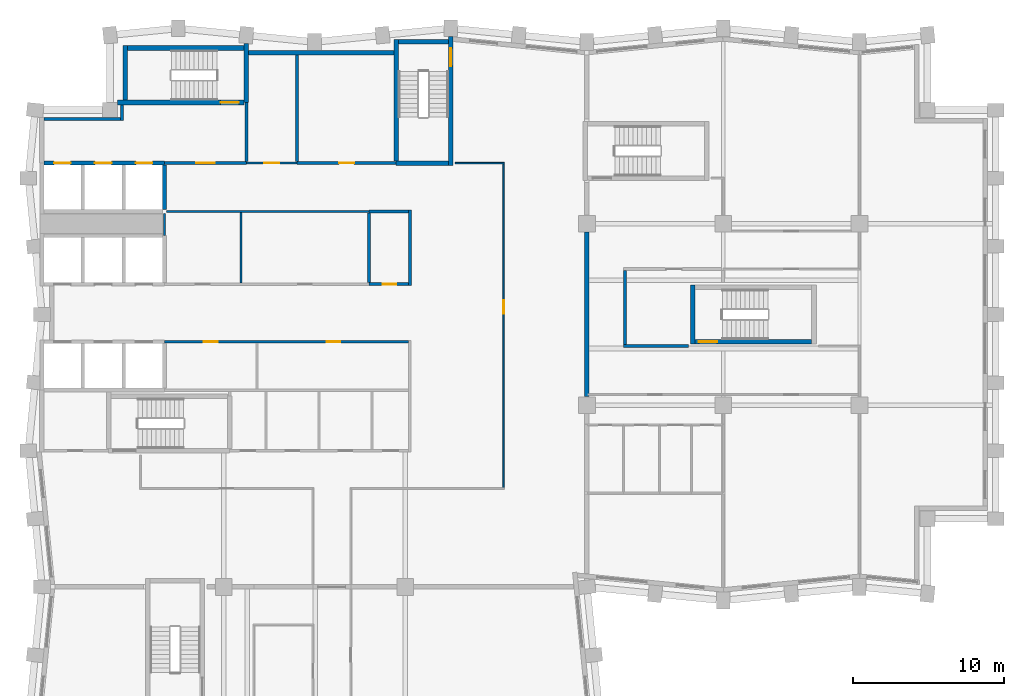
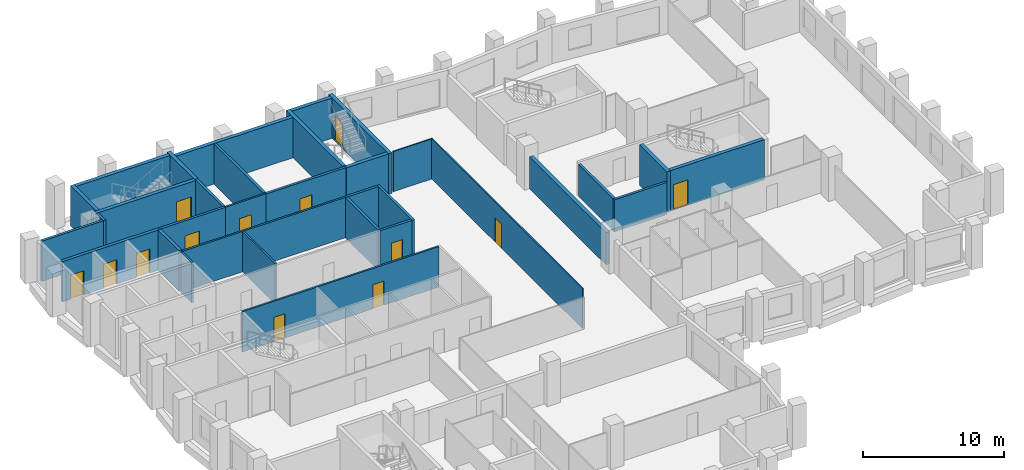
# One storey, part 6 of 10: 33 walls, 13 doors, 13 openings.
"""IFC4 building model written with IfcOpenShell, lengths in metres."""

import ifcopenshell
import ifcopenshell.guid

model = None  # the IFC model being written
_history = None  # IfcOwnerHistory: only IFC2X3 demands one
_inside = {}  # id of a spatial element -> (the spatial element, [elements in it])
_under = {}  # id of a project, library or spatial element -> (it, [spatial elements below it])
_declared = {}  # id of a project -> (the project, [libraries it declares])
_typed = {}  # id of a type object -> (the type object, [elements of that type])
_made_of = {}  # id of a material, layer set ... -> (it, [elements and type objects made of it])


def new_model(schema):
    """Start an empty IFC model of exactly this schema.

    Asked for "IFC4X3", IfcOpenShell would pick the latest addendum, in which some entities
    have other attributes; the version numbers below select the first issue.
    IFC2X3 requires an IfcOwnerHistory on every rooted entity: one is made here for all.
    """
    global model, _history
    if schema == "IFC4X3":
        model = ifcopenshell.file(schema_version=(4, 3, 0, 0))
    else:
        model = ifcopenshell.file(schema=schema)
    _inside.clear()
    _under.clear()
    _declared.clear()
    _typed.clear()
    _made_of.clear()
    _history = None
    if model.schema == "IFC2X3":
        org = make("IfcOrganization", Name="unknown")
        user = make(
            "IfcPersonAndOrganization",
            ThePerson=make("IfcPerson", FamilyName="unknown"),
            TheOrganization=org,
        )
        app = make(
            "IfcApplication",
            ApplicationDeveloper=org,
            Version="unknown",
            ApplicationFullName="unknown",
            ApplicationIdentifier="unknown",
        )
        _history = make(
            "IfcOwnerHistory",
            OwningUser=user,
            OwningApplication=app,
            ChangeAction="ADDED",
            CreationDate=0,
        )
    return model


def make(cls, **values):
    """One entity of the class cls with the attributes given. An attribute that is None is left unset."""
    return model.create_entity(
        cls, **{name: value for name, value in values.items() if value is not None}
    )


def rooted(cls, **values):
    """An entity with a GlobalId (a new one), such as an element, a storey or a relation."""
    return make(cls, GlobalId=ifcopenshell.guid.new(), OwnerHistory=_history, **values)


def si_unit(unit_type, name, prefix=None):
    """IfcSIUnit, for example si_unit("LENGTHUNIT", "METRE", prefix="MILLI")."""
    return make("IfcSIUnit", UnitType=unit_type, Prefix=prefix, Name=name)


def assignment(units):
    """IfcUnitAssignment: the units of a project."""
    return None if units is None else make("IfcUnitAssignment", Units=units)


def point(xyz):
    """IfcCartesianPoint."""
    return None if xyz is None else make("IfcCartesianPoint", Coordinates=xyz)


def direction(xyz):
    """IfcDirection."""
    return None if xyz is None else make("IfcDirection", DirectionRatios=xyz)


def frame(location, z_axis=None, x_axis=None):
    """IfcAxis2Placement3D, a coordinate frame: its origin and axes. An axis left out is left unset."""
    return make(
        "IfcAxis2Placement3D",
        Location=point(location),
        Axis=direction(z_axis),
        RefDirection=direction(x_axis),
    )


def frame_2d(location, x_axis=None):
    """IfcAxis2Placement2D, a coordinate frame in the plane: its origin and x axis."""
    return make(
        "IfcAxis2Placement2D", Location=point(location), RefDirection=direction(x_axis)
    )


def origin():
    """The frame at (0, 0, 0) with its axes left unset."""
    return frame((0.0, 0.0, 0.0))


def place(relative_to, where):
    """IfcLocalPlacement: puts the frame where relative to a parent placement (None: the world)."""
    return make(
        "IfcLocalPlacement", PlacementRelTo=relative_to, RelativePlacement=where
    )


def context(
    kind, dimensions, precision=None, world=None, true_north=None, identifier=None
):
    """IfcGeometricRepresentationContext, for example the 3D "Model" context."""
    return make(
        "IfcGeometricRepresentationContext",
        ContextIdentifier=identifier,
        ContextType=kind,
        CoordinateSpaceDimension=dimensions,
        Precision=precision,
        WorldCoordinateSystem=world,
        TrueNorth=true_north,
    )


def subcontext(parent, identifier, kind, view, scale=None):
    """IfcGeometricRepresentationSubContext, for example "Body" below "Model"."""
    return make(
        "IfcGeometricRepresentationSubContext",
        ContextIdentifier=identifier,
        ContextType=kind,
        ParentContext=parent,
        TargetScale=scale,
        TargetView=view,
    )


def project(units=None, contexts=None):
    """IfcProject with its units and contexts."""
    return rooted(
        "IfcProject",
        Name="project",
        RepresentationContexts=contexts,
        UnitsInContext=assignment(units),
    )


def spatial(cls, under=None, at=None, **own):
    """A site, building, storey or space (cls), placed at a placement, below another one or the project."""
    s = rooted(cls, ObjectPlacement=at, **own)
    if under is not None:
        _under.setdefault(under.id(), (under, []))[1].append(s)
    return s


def profile(cls, at=None, kind="AREA", **sizes):
    """A parametric profile (cls). Its sizes go by their IFC names, for example OverallWidth=200.0."""
    return make(cls, ProfileType=kind, Position=at, **sizes)


def rectangle(**sizes):
    """IfcRectangleProfileDef."""
    return profile("IfcRectangleProfileDef", **sizes)


def extrude(swept, where, along, depth):
    """IfcExtrudedAreaSolid: the profile swept, set in the frame where, extruded along a direction by depth."""
    return make(
        "IfcExtrudedAreaSolid",
        SweptArea=swept,
        Position=where,
        ExtrudedDirection=direction(along),
        Depth=depth,
    )


def shape(context_of_items, identifier, shape_type, items):
    """IfcShapeRepresentation: the items that make up one representation, for example the "Body"."""
    return make(
        "IfcShapeRepresentation",
        ContextOfItems=context_of_items,
        RepresentationIdentifier=identifier,
        RepresentationType=shape_type,
        Items=items,
    )


def material(Name=None, Category=None):
    """IfcMaterial."""
    return make("IfcMaterial", Name=Name, Category=Category)


def layer(
    of_material, thickness, ventilated=None, Name=None, Category=None, Priority=None
):
    """IfcMaterialLayer: one layer of a wall or slab, of a material (None: an air gap)."""
    return make(
        "IfcMaterialLayer",
        Material=of_material,
        LayerThickness=thickness,
        IsVentilated=ventilated,
        Name=Name,
        Category=Category,
        Priority=Priority,
    )


def layer_set(layers, Name=None):
    """IfcMaterialLayerSet."""
    return make("IfcMaterialLayerSet", MaterialLayers=layers, LayerSetName=Name)


def made_of(thing, what):
    """Note that an element or type object is made of a material, layer set ...; save() writes the relation."""
    if what is not None:
        _made_of.setdefault(what.id(), (what, []))[1].append(thing)
    return thing


def type_object(cls, material=None, **own):
    """A type object (cls), such as IfcWallType, which elements share."""
    return made_of(rooted(cls, **own), material)


def element(
    cls,
    number,
    at=None,
    inside=None,
    cuts=None,
    type_object=None,
    material=None,
    context=None,
    identifier="Body",
    shape_type=None,
    held_by="IfcProductDefinitionShape",
    body=None,
    shapes=None,
    **own,
):
    """One element of the class cls, such as IfcWall. Its Tag is "e" and its number.

    at: its placement. inside: the storey or other place that contains it. cuts: it is an
    opening in that element (IfcRelVoidsElement). A single representation is given by context,
    identifier, shape_type and body (its items); several are given by shapes. held_by: the class
    of the entity that holds the representations. save() writes the other relations.
    """
    e = rooted(cls, Tag="e%d" % number, ObjectPlacement=at, **own)
    if body is not None:
        shapes = [shape(context, identifier, shape_type, body)]
    if shapes is not None:
        e.Representation = make(held_by, Representations=shapes)
    if inside is not None:
        _inside.setdefault(inside.id(), (inside, []))[1].append(e)
    if cuts is not None:
        rooted(
            "IfcRelVoidsElement", RelatingBuildingElement=cuts, RelatedOpeningElement=e
        )
    if type_object is not None:
        _typed.setdefault(type_object.id(), (type_object, []))[1].append(e)
    return made_of(e, material)


def fill(opening, filler):
    """IfcRelFillsElement: the door or window that sits in an opening."""
    return rooted(
        "IfcRelFillsElement",
        RelatingOpeningElement=opening,
        RelatedBuildingElement=filler,
    )


def aggregate(whole, parts):
    """IfcRelAggregates: a whole, such as a stair, and the parts it consists of."""
    return rooted("IfcRelAggregates", RelatingObject=whole, RelatedObjects=parts)


def save(model, path):
    """Write the relations noted so far, then the file.

    IfcRelAggregates (storeys below a building ...), IfcRelContainedInSpatialStructure (elements
    in a storey), IfcRelDefinesByType, IfcRelAssociatesMaterial and IfcRelDeclares: one each for
    every whole, place, type object, material and project.
    """
    for whole, parts in _under.values():
        aggregate(whole, parts)
    for where, things in _inside.values():
        rooted(
            "IfcRelContainedInSpatialStructure",
            RelatedElements=things,
            RelatingStructure=where,
        )
    for kind, things in _typed.values():
        rooted("IfcRelDefinesByType", RelatedObjects=things, RelatingType=kind)
    for what, things in _made_of.values():
        rooted("IfcRelAssociatesMaterial", RelatedObjects=things, RelatingMaterial=what)
    for by, libraries in _declared.values():
        rooted("IfcRelDeclares", RelatingContext=by, RelatedDefinitions=libraries)
    model.write(path)


model = new_model("IFC4")

# Units and contexts
model_context = context("Model", 3, precision=1e-05, world=origin(), true_north=direction((0.0, 1.0)))
body_context = subcontext(model_context, "Body", "Model", "MODEL_VIEW")
ifc_project = project(units=[si_unit("LENGTHUNIT", "METRE"), si_unit("AREAUNIT", "SQUARE_METRE"), si_unit("VOLUMEUNIT", "CUBIC_METRE"), si_unit("PLANEANGLEUNIT", "RADIAN"), si_unit("MASSUNIT", "GRAM", prefix="KILO")], contexts=[model_context])

# Site, building, storey
site_placement = place(None, origin())
site = spatial("IfcSite", under=ifc_project, at=site_placement, CompositionType="ELEMENT")
building_placement = place(site_placement, origin())
building = spatial("IfcBuilding", under=site, at=building_placement, Name="Brondeck Convention Tower", CompositionType="ELEMENT")
storey_placement = place(building_placement, frame((0.0, 0.0, 147.199951171875)))
storey = spatial("IfcBuildingStorey", under=building, at=storey_placement, Name="L35", CompositionType="ELEMENT", Elevation=147.199951171875)

# Walls
ifc_material_1 = material(Name="Concrete compartment wall C30/37", Category="concrete")
ifc_layer_1 = layer(ifc_material_1, 0.300048828125)
ifc_layer_set_1 = layer_set([ifc_layer_1], Name="Compartment wall 300")
wall_type_1 = type_object("IfcWallType", Name="Compartment wall 300", PredefinedType="PARTITIONING", material=ifc_layer_set_1)
wall_1_placement = place(storey_placement, frame((36.0, 39.570068359375, 0.0), z_axis=(0.0, 0.0, 1.0), x_axis=(0.0, 1.0, 0.0)))
element("IfcWall", 1, at=wall_1_placement, inside=storey, type_object=wall_type_1, Name="FLR-L35-W052", PredefinedType="PARTITIONING", context=body_context, shape_type="SweptSolid", body=[
    extrude(rectangle(XDim=10.875, YDim=0.300048828125, at=frame_2d((5.4375, 0.0))), origin(), (0.0, 0.0, 1.0), 2.780029296875),
])
ifc_material_2 = material(Name="Concrete C70/85", Category="concrete")
ifc_layer_2 = layer(ifc_material_2, 0.199951171875)
ifc_layer_set_2 = layer_set([ifc_layer_2], Name="Core beam-seat wall 200 Concrete C70/85")
wall_type_2 = type_object("IfcWallType", Name="Core beam-seat wall 200 Concrete C70/85", PredefinedType="SHEAR", material=ifc_layer_set_2)
wall_2_placement = place(storey_placement, frame((24.300048828125, 46.89990234375, 0.0), z_axis=(0.0, 0.0, 1.0), x_axis=(0.0, 1.0, 0.0)))
element("IfcWall", 2, at=wall_2_placement, inside=storey, type_object=wall_type_2, Name="L35 core wall", PredefinedType="SHEAR", context=body_context, shape_type="SweptSolid", body=[
    extrude(rectangle(XDim=5.0, YDim=0.199951171875, at=frame_2d((2.5, 0.0))), origin(), (0.0, 0.0, 1.0), 3.5),
])
ifc_layer_3 = layer(ifc_material_2, 0.300048828125)
ifc_layer_set_3 = layer_set([ifc_layer_3], Name="Core outer wall 300 Concrete C70/85")
wall_type_3 = type_object("IfcWallType", Name="Core outer wall 300 Concrete C70/85", PredefinedType="SHEAR", material=ifc_layer_set_3)
wall_3_placement = place(storey_placement, frame((13.64990234375, 62.300048828125, 0.0), z_axis=(0.0, 0.0, 1.0), x_axis=(1.0, 0.0, 0.0)))
element("IfcWall", 3, at=wall_3_placement, inside=storey, type_object=wall_type_3, Name="L35 core wall", PredefinedType="SHEAR", context=body_context, shape_type="SweptSolid", body=[
    extrude(rectangle(XDim=9.60009765625, YDim=0.300048828125, at=frame_2d((4.800048828125, 0.0))), origin(), (0.0, 0.0, 1.0), 3.5),
])

# Wall, openings, doors
ifc_material_3 = material(Name="Fire-rated gypsum board partition")
ifc_layer_4 = layer(ifc_material_3, 0.14990234375)
ifc_layer_set_4 = layer_set([ifc_layer_4], Name="Core partition 150 EI 60")
wall_type_4 = type_object("IfcWallType", Name="Core partition 150 EI 60", PredefinedType="PARTITIONING", material=ifc_layer_set_4)
wall_4_placement = place(storey_placement, frame((8.10009765625, 43.199951171875, 0.0), z_axis=(0.0, 0.0, 1.0), x_axis=(1.0, 0.0, 0.0)))
wall_4 = element("IfcWall", 4, at=wall_4_placement, inside=storey, type_object=wall_type_4, Name="L35 core wall", PredefinedType="PARTITIONING", context=body_context, shape_type="SweptSolid", body=[
    extrude(rectangle(XDim=16.125, YDim=0.14990234375, at=frame_2d((8.0625, 0.0))), origin(), (0.0, 0.0, 1.0), 3.5),
])
opening_1_placement = place(wall_4_placement, frame((2.60009765625, 0.0, 0.0)))
opening_1 = element("IfcOpeningElement", 5, at=opening_1_placement, cuts=wall_4, Name="Opening C21-10", PredefinedType="OPENING", context=body_context, shape_type="SweptSolid", body=[
    extrude(rectangle(XDim=0.89990234375, YDim=2.10009765625, at=frame_2d((0.449951171875, 1.050048828125))), frame((0.0, 0.0849609375, 0.0), z_axis=(0.0, -1.0, 0.0), x_axis=(1.0, 0.0, 0.0)), (0.0, 0.0, 1.0), 0.169921875),
])
opening_2_placement = place(wall_4_placement, frame((10.699951171875, 0.0, 0.0)))
opening_2 = element("IfcOpeningElement", 6, at=opening_2_placement, cuts=wall_4, Name="Opening C21-11", PredefinedType="OPENING", context=body_context, shape_type="SweptSolid", body=[
    extrude(rectangle(XDim=0.89990234375, YDim=2.10009765625, at=frame_2d((0.449951171875, 1.050048828125))), frame((0.0, 0.0849609375, 0.0), z_axis=(0.0, -1.0, 0.0), x_axis=(1.0, 0.0, 0.0)), (0.0, 0.0, 1.0), 0.169921875),
])
ifc_material_4 = material(Name="Steel fire door", Category="steel")
door_type_1 = type_object("IfcDoorType", Name="Room door 900x2100 EI 60", OperationType="NOTDEFINED", PredefinedType="DOOR", material=ifc_material_4)
door_1_placement = place(opening_1_placement, origin())
door_1 = element("IfcDoor", 7, at=door_1_placement, inside=storey, type_object=door_type_1, Name="L35 Room door FZ-S-8.1-1", OperationType="SINGLE_SWING_RIGHT", OverallHeight=2.10009765625, OverallWidth=0.89990234375, PredefinedType="DOOR", context=body_context, shape_type="SweptSolid", body=[
    extrude(rectangle(XDim=0.89990234375, YDim=2.10009765625, at=frame_2d((0.449951171875, 1.050048828125))), frame((0.0, 0.02490234375, 0.0), z_axis=(0.0, -1.0, 0.0), x_axis=(1.0, 0.0, 0.0)), (0.0, 0.0, 1.0), 0.050048828125),
])
fill(opening_1, door_1)
door_2_placement = place(opening_2_placement, origin())
door_2 = element("IfcDoor", 8, at=door_2_placement, inside=storey, type_object=door_type_1, Name="L35 Room door FZ-S-8.1-2", OperationType="SINGLE_SWING_LEFT", OverallHeight=2.10009765625, OverallWidth=0.89990234375, PredefinedType="DOOR", context=body_context, shape_type="SweptSolid", body=[
    extrude(rectangle(XDim=0.89990234375, YDim=2.10009765625, at=frame_2d((0.449951171875, 1.050048828125))), frame((0.0, 0.02490234375, 0.0), z_axis=(0.0, -1.0, 0.0), x_axis=(1.0, 0.0, 0.0)), (0.0, 0.0, 1.0), 0.050048828125),
])
fill(opening_2, door_2)

# Wall
wall_5_placement = place(storey_placement, frame((8.22509765625, 51.800048828125, 0.0), z_axis=(0.0, 0.0, 1.0), x_axis=(1.0, 0.0, 0.0)))
element("IfcWall", 9, at=wall_5_placement, inside=storey, type_object=wall_type_4, Name="L35 core wall", PredefinedType="PARTITIONING", context=body_context, shape_type="SweptSolid", body=[
    extrude(rectangle(XDim=13.375, YDim=0.14990234375, at=frame_2d((6.6875, 0.0))), origin(), (0.0, 0.0, 1.0), 3.5),
])

# Wall, opening, door
wall_6_placement = place(storey_placement, frame((13.5, 55.0, 0.0), z_axis=(0.0, 0.0, 1.0), x_axis=(1.0, 0.0, 0.0)))
wall_6 = element("IfcWall", 10, at=wall_6_placement, inside=storey, type_object=wall_type_4, Name="L35 core wall", PredefinedType="PARTITIONING", context=body_context, shape_type="SweptSolid", body=[
    extrude(rectangle(XDim=3.35009765625, YDim=0.14990234375, at=frame_2d((1.675048828125, 0.0))), origin(), (0.0, 0.0, 1.0), 3.5),
])
opening_3_placement = place(wall_6_placement, frame((1.175048828125, 0.0, 0.0)))
opening_3 = element("IfcOpeningElement", 11, at=opening_3_placement, cuts=wall_6, Name="Opening C21-12", PredefinedType="OPENING", context=body_context, shape_type="SweptSolid", body=[
    extrude(rectangle(XDim=1.0, YDim=2.10009765625, at=frame_2d((0.5, 1.050048828125))), frame((0.0, 0.0849609375, 0.0), z_axis=(0.0, -1.0, 0.0), x_axis=(1.0, 0.0, 0.0)), (0.0, 0.0, 1.0), 0.169921875),
])
door_type_2 = type_object("IfcDoorType", Name="Room door 1000x2100 EI 60", OperationType="NOTDEFINED", PredefinedType="DOOR", material=ifc_material_4)
door_3_placement = place(opening_3_placement, origin())
door_3 = element("IfcDoor", 12, at=door_3_placement, inside=storey, type_object=door_type_2, Name="L35 Room door NE-1", OperationType="SINGLE_SWING_LEFT", OverallHeight=2.10009765625, OverallWidth=1.0, PredefinedType="DOOR", context=body_context, shape_type="SweptSolid", body=[
    extrude(rectangle(XDim=1.0, YDim=2.10009765625, at=frame_2d((0.5, 1.050048828125))), frame((0.0, 0.02490234375, 0.0), z_axis=(0.0, -1.0, 0.0), x_axis=(1.0, 0.0, 0.0)), (0.0, 0.0, 1.0), 0.050048828125),
])
fill(opening_3, door_3)

# Walls
wall_7_placement = place(storey_placement, frame((8.10009765625, 50.199951171875, 0.0), z_axis=(0.0, 0.0, 1.0), x_axis=(0.0, 1.0, 0.0)))
element("IfcWall", 13, at=wall_7_placement, inside=storey, type_object=wall_type_4, Name="L35 core wall", PredefinedType="PARTITIONING", context=body_context, shape_type="SweptSolid", body=[
    extrude(rectangle(XDim=1.47509765625, YDim=0.14990234375, at=frame_2d((0.737548828125, 0.0))), origin(), (0.0, 0.0, 1.0), 3.5),
])
wall_8_placement = place(storey_placement, frame((13.14990234375, 47.074951171875, 0.0), z_axis=(0.0, 0.0, 1.0), x_axis=(0.0, 1.0, 0.0)))
element("IfcWall", 14, at=wall_8_placement, inside=storey, type_object=wall_type_4, Name="L35 core wall", PredefinedType="PARTITIONING", context=body_context, shape_type="SweptSolid", body=[
    extrude(rectangle(XDim=4.650146484375, YDim=0.14990234375, at=frame_2d((2.3251953125, 0.0))), origin(), (0.0, 0.0, 1.0), 3.5),
])

# Wall, opening, door
ifc_layer_5 = layer(ifc_material_3, 0.199951171875)
ifc_layer_set_5 = layer_set([ifc_layer_5], Name="Firefighting lobby wall 200 EI 120")
wall_type_5 = type_object("IfcWallType", Name="Firefighting lobby wall 200 EI 120", PredefinedType="PARTITIONING", material=ifc_layer_set_5)
wall_9_placement = place(storey_placement, frame((8.10009765625, 55.0, 0.0), z_axis=(0.0, 0.0, 1.0), x_axis=(1.0, 0.0, 0.0)))
wall_9 = element("IfcWall", 15, at=wall_9_placement, inside=storey, type_object=wall_type_5, Name="L35 core wall", PredefinedType="PARTITIONING", context=body_context, shape_type="SweptSolid", body=[
    extrude(rectangle(XDim=5.39990234375, YDim=0.199951171875, at=frame_2d((2.699951171875, 0.0))), origin(), (0.0, 0.0, 1.0), 3.5),
])
opening_4_placement = place(wall_9_placement, frame((2.10009765625, 0.0, 0.0)))
opening_4 = element("IfcOpeningElement", 16, at=opening_4_placement, cuts=wall_9, Name="Opening C21-01", PredefinedType="OPENING", context=body_context, shape_type="SweptSolid", body=[
    extrude(rectangle(XDim=1.199951171875, YDim=2.199951171875, at=frame_2d((0.60009765625, 1.10009765625))), frame((0.0, 0.10986328125, 0.0), z_axis=(0.0, -1.0, 0.0), x_axis=(1.0, 0.0, 0.0)), (0.0, 0.0, 1.0), 0.219970703125),
])
door_type_3 = type_object("IfcDoorType", Name="Firefighting lobby door 1200x2200 EI 120", OperationType="NOTDEFINED", PredefinedType="DOOR", material=ifc_material_4)
door_4_placement = place(opening_4_placement, origin())
door_4 = element("IfcDoor", 17, at=door_4_placement, inside=storey, type_object=door_type_3, Name="L35 Firefighting lobby door FFL-1", OperationType="SINGLE_SWING_RIGHT", OverallHeight=2.199951171875, OverallWidth=1.199951171875, PredefinedType="DOOR", context=body_context, shape_type="SweptSolid", body=[
    extrude(rectangle(XDim=1.199951171875, YDim=2.199951171875, at=frame_2d((0.60009765625, 1.10009765625))), frame((0.0, 0.02490234375, 0.0), z_axis=(0.0, -1.0, 0.0), x_axis=(1.0, 0.0, 0.0)), (0.0, 0.0, 1.0), 0.050048828125),
])
fill(opening_4, door_4)

# Walls
wall_10_placement = place(storey_placement, frame((0.14990234375, 57.89990234375, 0.0), z_axis=(0.0, 0.0, 1.0), x_axis=(1.0, 0.0, 0.0)))
element("IfcWall", 18, at=wall_10_placement, inside=storey, type_object=wall_type_5, Name="L35 core wall", PredefinedType="PARTITIONING", context=body_context, shape_type="SweptSolid", body=[
    extrude(rectangle(XDim=5.050048828125, YDim=0.199951171875, at=frame_2d((2.52490234375, 0.0))), origin(), (0.0, 0.0, 1.0), 3.5),
])
wall_11_placement = place(storey_placement, frame((5.300048828125, 57.800048828125, 0.0), z_axis=(0.0, 0.0, 1.0), x_axis=(0.0, 1.0, 0.0)))
element("IfcWall", 19, at=wall_11_placement, inside=storey, type_object=wall_type_5, Name="L35 core wall", PredefinedType="PARTITIONING", context=body_context, shape_type="SweptSolid", body=[
    extrude(rectangle(XDim=1.050048828125, YDim=0.199951171875, at=frame_2d((0.52490234375, 0.0))), origin(), (0.0, 0.0, 1.0), 3.5),
])
wall_12_placement = place(storey_placement, frame((13.5, 55.10009765625, 0.0), z_axis=(0.0, 0.0, 1.0), x_axis=(0.0, 1.0, 0.0)))
element("IfcWall", 20, at=wall_12_placement, inside=storey, type_object=wall_type_5, Name="L35 core wall", PredefinedType="PARTITIONING", context=body_context, shape_type="SweptSolid", body=[
    extrude(rectangle(XDim=3.89990234375, YDim=0.199951171875, at=frame_2d((1.949951171875, 0.0))), origin(), (0.0, 0.0, 1.0), 3.5),
])

# Wall, openings, doors
ifc_layer_6 = layer(ifc_material_2, 0.25)
ifc_layer_set_6 = layer_set([ifc_layer_6], Name="Lift shaft wall 250 Concrete C70/85")
wall_type_6 = type_object("IfcWallType", Name="Lift shaft wall 250 Concrete C70/85", PredefinedType="SHEAR", material=ifc_layer_set_6)
wall_13_placement = place(storey_placement, frame((0.14990234375, 55.0, 0.0), z_axis=(0.0, 0.0, 1.0), x_axis=(1.0, 0.0, 0.0)))
wall_13 = element("IfcWall", 21, at=wall_13_placement, inside=storey, type_object=wall_type_6, Name="L35 core wall", PredefinedType="SHEAR", context=body_context, shape_type="SweptSolid", body=[
    extrude(rectangle(XDim=7.9501953125, YDim=0.25, at=frame_2d((3.97509765625, 0.0))), origin(), (0.0, 0.0, 1.0), 3.5),
])
opening_5_placement = place(wall_13_placement, frame((0.64990234375, 0.0, 0.0)))
opening_5 = element("IfcOpeningElement", 22, at=opening_5_placement, cuts=wall_13, Name="Opening C21-21", PredefinedType="OPENING", context=body_context, shape_type="SweptSolid", body=[
    extrude(rectangle(XDim=1.10009765625, YDim=2.10009765625, at=frame_2d((0.550048828125, 1.050048828125))), frame((0.0, 0.135009765625, 0.0), z_axis=(0.0, -1.0, 0.0), x_axis=(1.0, 0.0, 0.0)), (0.0, 0.0, 1.0), 0.27001953125),
])
opening_6_placement = place(wall_13_placement, frame((3.35009765625, 0.0, 0.0)))
opening_6 = element("IfcOpeningElement", 23, at=opening_6_placement, cuts=wall_13, Name="Opening C21-22", PredefinedType="OPENING", context=body_context, shape_type="SweptSolid", body=[
    extrude(rectangle(XDim=1.10009765625, YDim=2.10009765625, at=frame_2d((0.550048828125, 1.050048828125))), frame((0.0, 0.135009765625, 0.0), z_axis=(0.0, -1.0, 0.0), x_axis=(1.0, 0.0, 0.0)), (0.0, 0.0, 1.0), 0.27001953125),
])
opening_7_placement = place(wall_13_placement, frame((6.050048828125, 0.0, 0.0)))
opening_7 = element("IfcOpeningElement", 24, at=opening_7_placement, cuts=wall_13, Name="Opening C21-23", PredefinedType="OPENING", context=body_context, shape_type="SweptSolid", body=[
    extrude(rectangle(XDim=1.10009765625, YDim=2.10009765625, at=frame_2d((0.550048828125, 1.050048828125))), frame((0.0, 0.135009765625, 0.0), z_axis=(0.0, -1.0, 0.0), x_axis=(1.0, 0.0, 0.0)), (0.0, 0.0, 1.0), 0.27001953125),
])
ifc_material_5 = material(Name="Stainless steel lift door", Category="steel")
door_type_4 = type_object("IfcDoorType", Name="Lift landing door 1100x2100 EI 180", OperationType="DOUBLE_DOOR_SLIDING", PredefinedType="DOOR", material=ifc_material_5)
door_5_placement = place(opening_5_placement, origin())
door_5 = element("IfcDoor", 25, at=door_5_placement, inside=storey, type_object=door_type_4, Name="L35 Lift landing door FF1", OperationType="DOUBLE_DOOR_SLIDING", OverallHeight=2.10009765625, OverallWidth=1.10009765625, PredefinedType="DOOR", context=body_context, shape_type="SweptSolid", body=[
    extrude(rectangle(XDim=1.10009765625, YDim=2.10009765625, at=frame_2d((0.550048828125, 1.050048828125))), frame((0.0, 0.02490234375, 0.0), z_axis=(0.0, -1.0, 0.0), x_axis=(1.0, 0.0, 0.0)), (0.0, 0.0, 1.0), 0.050048828125),
])
fill(opening_5, door_5)
door_6_placement = place(opening_6_placement, origin())
door_6 = element("IfcDoor", 26, at=door_6_placement, inside=storey, type_object=door_type_4, Name="L35 Lift landing door FF2", OperationType="DOUBLE_DOOR_SLIDING", OverallHeight=2.10009765625, OverallWidth=1.10009765625, PredefinedType="DOOR", context=body_context, shape_type="SweptSolid", body=[
    extrude(rectangle(XDim=1.10009765625, YDim=2.10009765625, at=frame_2d((0.550048828125, 1.050048828125))), frame((0.0, 0.02490234375, 0.0), z_axis=(0.0, -1.0, 0.0), x_axis=(1.0, 0.0, 0.0)), (0.0, 0.0, 1.0), 0.050048828125),
])
fill(opening_6, door_6)
door_7_placement = place(opening_7_placement, origin())
door_7 = element("IfcDoor", 27, at=door_7_placement, inside=storey, type_object=door_type_4, Name="L35 Lift landing door FF3", OperationType="DOUBLE_DOOR_SLIDING", OverallHeight=2.10009765625, OverallWidth=1.10009765625, PredefinedType="DOOR", context=body_context, shape_type="SweptSolid", body=[
    extrude(rectangle(XDim=1.10009765625, YDim=2.10009765625, at=frame_2d((0.550048828125, 1.050048828125))), frame((0.0, 0.02490234375, 0.0), z_axis=(0.0, -1.0, 0.0), x_axis=(1.0, 0.0, 0.0)), (0.0, 0.0, 1.0), 0.050048828125),
])
fill(opening_7, door_7)

# Walls
wall_14_placement = place(storey_placement, frame((8.10009765625, 51.925048828125, 0.0), z_axis=(0.0, 0.0, 1.0), x_axis=(0.0, 1.0, 0.0)))
element("IfcWall", 28, at=wall_14_placement, inside=storey, type_object=wall_type_6, Name="L35 core wall", PredefinedType="SHEAR", context=body_context, shape_type="SweptSolid", body=[
    extrude(rectangle(XDim=2.949951171875, YDim=0.25, at=frame_2d((1.47509765625, 0.0))), origin(), (0.0, 0.0, 1.0), 3.5),
])
ifc_material_6 = material(Name="Concrete block wall C16/20", Category="concrete")
ifc_layer_7 = layer(ifc_material_6, 0.199951171875)
ifc_layer_set_7 = layer_set([ifc_layer_7], Name="Plant room wall 200")
wall_type_7 = type_object("IfcWallType", Name="Plant room wall 200", PredefinedType="PARTITIONING", material=ifc_layer_set_7)
wall_15_placement = place(storey_placement, frame((38.39990234375, 42.89990234375, 0.0), z_axis=(0.0, 0.0, 1.0), x_axis=(1.0, 0.0, 0.0)))
element("IfcWall", 29, at=wall_15_placement, inside=storey, type_object=wall_type_7, Name="FLR-L35-W054", PredefinedType="PARTITIONING", context=body_context, shape_type="SweptSolid", body=[
    extrude(rectangle(XDim=4.300048828125, YDim=0.199951171875, at=frame_2d((2.14990234375, 0.0))), origin(), (0.0, 0.0, 1.0), 2.780029296875),
])
wall_16_placement = place(storey_placement, frame((38.5, 47.89990234375, 0.0), z_axis=(0.0, 0.0, 1.0), x_axis=(0.0, -1.0, 0.0)))
element("IfcWall", 30, at=wall_16_placement, inside=storey, type_object=wall_type_7, Name="FLR-L35-W056", PredefinedType="PARTITIONING", context=body_context, shape_type="SweptSolid", body=[
    extrude(rectangle(XDim=4.89990234375, YDim=0.199951171875, at=frame_2d((2.449951171875, 0.0))), origin(), (0.0, 0.0, 1.0), 2.780029296875),
])

# Wall, opening, door
ifc_layer_8 = layer(ifc_material_3, 0.199951171875)
ifc_layer_set_8 = layer_set([ifc_layer_8], Name="Riser wall 200 EI 120")
wall_type_8 = type_object("IfcWallType", Name="Riser wall 200 EI 120", PredefinedType="PARTITIONING", material=ifc_layer_set_8)
wall_17_placement = place(storey_placement, frame((21.60009765625, 47.0, 0.0), z_axis=(0.0, 0.0, 1.0), x_axis=(1.0, 0.0, 0.0)))
wall_17 = element("IfcWall", 31, at=wall_17_placement, inside=storey, type_object=wall_type_8, Name="L35 core wall", PredefinedType="PARTITIONING", context=body_context, shape_type="SweptSolid", body=[
    extrude(rectangle(XDim=2.599853515625, YDim=0.199951171875, at=frame_2d((1.2998046875, 0.0))), origin(), (0.0, 0.0, 1.0), 3.5),
])
opening_8_placement = place(wall_17_placement, frame((0.89990234375, 0.0, 0.0)))
opening_8 = element("IfcOpeningElement", 32, at=opening_8_placement, cuts=wall_17, Name="Opening C21-02", PredefinedType="OPENING", context=body_context, shape_type="SweptSolid", body=[
    extrude(rectangle(XDim=0.89990234375, YDim=2.10009765625, at=frame_2d((0.449951171875, 1.050048828125))), frame((0.0, 0.10986328125, 0.0), z_axis=(0.0, -1.0, 0.0), x_axis=(1.0, 0.0, 0.0)), (0.0, 0.0, 1.0), 0.219970703125),
])
door_type_5 = type_object("IfcDoorType", Name="Riser door 900x2100 EI 120", OperationType="NOTDEFINED", PredefinedType="DOOR", material=ifc_material_4)
door_8_placement = place(opening_8_placement, origin())
door_8 = element("IfcDoor", 33, at=door_8_placement, inside=storey, type_object=door_type_5, Name="L35 Riser door EN-1", OperationType="SINGLE_SWING_LEFT", OverallHeight=2.10009765625, OverallWidth=0.89990234375, PredefinedType="DOOR", context=body_context, shape_type="SweptSolid", body=[
    extrude(rectangle(XDim=0.89990234375, YDim=2.10009765625, at=frame_2d((0.449951171875, 1.050048828125))), frame((0.0, 0.02490234375, 0.0), z_axis=(0.0, -1.0, 0.0), x_axis=(1.0, 0.0, 0.0)), (0.0, 0.0, 1.0), 0.050048828125),
])
fill(opening_8, door_8)

# Wall
wall_18_placement = place(storey_placement, frame((21.60009765625, 51.800048828125, 0.0), z_axis=(0.0, 0.0, 1.0), x_axis=(1.0, 0.0, 0.0)))
element("IfcWall", 34, at=wall_18_placement, inside=storey, type_object=wall_type_8, Name="L35 core wall", PredefinedType="PARTITIONING", context=body_context, shape_type="SweptSolid", body=[
    extrude(rectangle(XDim=2.599853515625, YDim=0.199951171875, at=frame_2d((1.2998046875, 0.0))), origin(), (0.0, 0.0, 1.0), 3.5),
])

# Wall, opening, door
wall_19_placement = place(storey_placement, frame((16.85009765625, 55.0, 0.0), z_axis=(0.0, 0.0, 1.0), x_axis=(1.0, 0.0, 0.0)))
wall_19 = element("IfcWall", 35, at=wall_19_placement, inside=storey, type_object=wall_type_8, Name="L35 core wall", PredefinedType="PARTITIONING", context=body_context, shape_type="SweptSolid", body=[
    extrude(rectangle(XDim=6.5498046875, YDim=0.199951171875, at=frame_2d((3.27490234375, 0.0))), origin(), (0.0, 0.0, 1.0), 3.5),
])
opening_9_placement = place(wall_19_placement, frame((2.77490234375, 0.0, 0.0)))
opening_9 = element("IfcOpeningElement", 36, at=opening_9_placement, cuts=wall_19, Name="Opening C21-13", PredefinedType="OPENING", context=body_context, shape_type="SweptSolid", body=[
    extrude(rectangle(XDim=1.0, YDim=2.10009765625, at=frame_2d((0.5, 1.050048828125))), frame((0.0, 0.10986328125, 0.0), z_axis=(0.0, -1.0, 0.0), x_axis=(1.0, 0.0, 0.0)), (0.0, 0.0, 1.0), 0.219970703125),
])
door_type_6 = type_object("IfcDoorType", Name="Riser door 1000x2100 EI 120", OperationType="NOTDEFINED", PredefinedType="DOOR", material=ifc_material_4)
door_9_placement = place(opening_9_placement, origin())
door_9 = element("IfcDoor", 37, at=door_9_placement, inside=storey, type_object=door_type_6, Name="L35 Riser door NE-2", OperationType="SINGLE_SWING_RIGHT", OverallHeight=2.10009765625, OverallWidth=1.0, PredefinedType="DOOR", context=body_context, shape_type="SweptSolid", body=[
    extrude(rectangle(XDim=1.0, YDim=2.10009765625, at=frame_2d((0.5, 1.050048828125))), frame((0.0, 0.02490234375, 0.0), z_axis=(0.0, -1.0, 0.0), x_axis=(1.0, 0.0, 0.0)), (0.0, 0.0, 1.0), 0.050048828125),
])
fill(opening_9, door_9)

# Walls
wall_20_placement = place(storey_placement, frame((16.85009765625, 55.10009765625, 0.0), z_axis=(0.0, 0.0, 1.0), x_axis=(0.0, 1.0, 0.0)))
element("IfcWall", 38, at=wall_20_placement, inside=storey, type_object=wall_type_8, Name="L35 core wall", PredefinedType="PARTITIONING", context=body_context, shape_type="SweptSolid", body=[
    extrude(rectangle(XDim=7.0498046875, YDim=0.199951171875, at=frame_2d((3.52490234375, 0.0))), origin(), (0.0, 0.0, 1.0), 3.5),
])
wall_21_placement = place(storey_placement, frame((21.60009765625, 47.10009765625, 0.0), z_axis=(0.0, 0.0, 1.0), x_axis=(0.0, 1.0, 0.0)))
element("IfcWall", 39, at=wall_21_placement, inside=storey, type_object=wall_type_8, Name="L35 core wall", PredefinedType="PARTITIONING", context=body_context, shape_type="SweptSolid", body=[
    extrude(rectangle(XDim=4.599853515625, YDim=0.199951171875, at=frame_2d((2.2998046875, 0.0))), origin(), (0.0, 0.0, 1.0), 3.5),
])

# Wall, opening, door
ifc_material_7 = material(Name="Gypsum board partition on steel studs", Category="steel")
ifc_layer_9 = layer(ifc_material_7, 0.10009765625)
ifc_layer_set_9 = layer_set([ifc_layer_9], Name="Room partition 100")
wall_type_9 = type_object("IfcWallType", Name="Room partition 100", PredefinedType="PARTITIONING", material=ifc_layer_set_9)
wall_22_placement = place(storey_placement, frame((30.5, 54.949951171875, 0.0), z_axis=(0.0, 0.0, 1.0), x_axis=(0.0, -1.0, 0.0)))
wall_22 = element("IfcWall", 40, at=wall_22_placement, inside=storey, type_object=wall_type_9, Name="FLR-L35-W066", PredefinedType="PARTITIONING", context=body_context, shape_type="SweptSolid", body=[
    extrude(rectangle(XDim=21.39990234375, YDim=0.10009765625, at=frame_2d((10.699951171875, 0.0))), origin(), (0.0, 0.0, 1.0), 3.47998046875),
])
opening_10_placement = place(wall_22_placement, frame((9.0, 0.0, 0.0)))
opening_10 = element("IfcOpeningElement", 41, at=opening_10_placement, cuts=wall_22, Name="Opening OF-F2-017", PredefinedType="OPENING", context=body_context, shape_type="SweptSolid", body=[
    extrude(rectangle(XDim=0.89990234375, YDim=2.10009765625, at=frame_2d((0.449951171875, 1.050048828125))), frame((0.0, 0.06005859375, 0.0), z_axis=(0.0, -1.0, 0.0), x_axis=(1.0, 0.0, 0.0)), (0.0, 0.0, 1.0), 0.1201171875),
])
ifc_material_8 = material(Name="Solid timber door leaf", Category="wood")
door_type_7 = type_object("IfcDoorType", Name="Single door 900", OperationType="NOTDEFINED", PredefinedType="DOOR", material=ifc_material_8)
door_10_placement = place(opening_10_placement, origin())
door_10 = element("IfcDoor", 42, at=door_10_placement, inside=storey, type_object=door_type_7, Name="Door OF-F2-017", OperationType="SINGLE_SWING_LEFT", OverallHeight=2.10009765625, OverallWidth=0.89990234375, PredefinedType="DOOR", context=body_context, shape_type="SweptSolid", body=[
    extrude(rectangle(XDim=0.89990234375, YDim=2.10009765625, at=frame_2d((0.449951171875, 1.050048828125))), frame((0.0, 0.02490234375, 0.0), z_axis=(0.0, -1.0, 0.0), x_axis=(1.0, 0.0, 0.0)), (0.0, 0.0, 1.0), 0.050048828125),
])
fill(opening_10, door_10)

# Wall
wall_23_placement = place(storey_placement, frame((27.300048828125, 55.0, 0.0), z_axis=(0.0, 0.0, 1.0), x_axis=(1.0, 0.0, 0.0)))
element("IfcWall", 43, at=wall_23_placement, inside=storey, type_object=wall_type_9, Name="FLR-L35-W067", PredefinedType="PARTITIONING", context=body_context, shape_type="SweptSolid", body=[
    extrude(rectangle(XDim=3.25, YDim=0.10009765625, at=frame_2d((1.625, 0.0))), origin(), (0.0, 0.0, 1.0), 3.47998046875),
])

# Wall, opening, door
ifc_layer_10 = layer(ifc_material_2, 0.300048828125)
ifc_layer_set_10 = layer_set([ifc_layer_10], Name="Stair enclosure wall 300 Concrete C70/85")
wall_type_10 = type_object("IfcWallType", Name="Stair enclosure wall 300 Concrete C70/85", PredefinedType="SHEAR", material=ifc_layer_set_10)
wall_24_placement = place(storey_placement, frame((43.14990234375, 43.199951171875, 0.0), z_axis=(0.0, 0.0, 1.0), x_axis=(1.0, 0.0, 0.0)))
wall_24 = element("IfcWall", 44, at=wall_24_placement, inside=storey, type_object=wall_type_10, Name="L35 core wall", PredefinedType="SHEAR", context=body_context, shape_type="SweptSolid", body=[
    extrude(rectangle(XDim=7.7001953125, YDim=0.300048828125, at=frame_2d((3.85009765625, 0.0))), origin(), (0.0, 0.0, 1.0), 3.5),
])
opening_11_placement = place(wall_24_placement, frame((0.25, 0.0, 0.0)))
opening_11 = element("IfcOpeningElement", 45, at=opening_11_placement, cuts=wall_24, Name="Opening C21-18", PredefinedType="OPENING", context=body_context, shape_type="SweptSolid", body=[
    extrude(rectangle(XDim=1.199951171875, YDim=2.199951171875, at=frame_2d((0.60009765625, 1.10009765625))), frame((0.0, 0.159912109375, 0.0), z_axis=(0.0, -1.0, 0.0), x_axis=(1.0, 0.0, 0.0)), (0.0, 0.0, 1.0), 0.320068359375),
])
door_type_8 = type_object("IfcDoorType", Name="Stair door 1200x2200 EI 90", OperationType="NOTDEFINED", PredefinedType="DOOR", material=ifc_material_4)
door_11_placement = place(opening_11_placement, origin())
door_11 = element("IfcDoor", 46, at=door_11_placement, inside=storey, type_object=door_type_8, Name="L35 Stair door ST-AF", OperationType="SINGLE_SWING_RIGHT", OverallHeight=2.199951171875, OverallWidth=1.199951171875, PredefinedType="DOOR", context=body_context, shape_type="SweptSolid", body=[
    extrude(rectangle(XDim=1.199951171875, YDim=2.199951171875, at=frame_2d((0.60009765625, 1.10009765625))), frame((0.0, 0.02490234375, 0.0), z_axis=(0.0, -1.0, 0.0), x_axis=(1.0, 0.0, 0.0)), (0.0, 0.0, 1.0), 0.050048828125),
])
fill(opening_11, door_11)

# Wall
wall_25_placement = place(storey_placement, frame((23.39990234375, 55.0, 0.0), z_axis=(0.0, 0.0, 1.0), x_axis=(1.0, 0.0, 0.0)))
element("IfcWall", 47, at=wall_25_placement, inside=storey, type_object=wall_type_10, Name="L35 core wall", PredefinedType="SHEAR", context=body_context, shape_type="SweptSolid", body=[
    extrude(rectangle(XDim=3.4501953125, YDim=0.300048828125, at=frame_2d((1.72509765625, 0.0))), origin(), (0.0, 0.0, 1.0), 3.5),
])

# Wall, opening, door
wall_26_placement = place(storey_placement, frame((5.0, 59.0, 0.0), z_axis=(0.0, 0.0, 1.0), x_axis=(1.0, 0.0, 0.0)))
wall_26 = element("IfcWall", 48, at=wall_26_placement, inside=storey, type_object=wall_type_10, Name="L35 core wall", PredefinedType="SHEAR", context=body_context, shape_type="SweptSolid", body=[
    extrude(rectangle(XDim=8.35009765625, YDim=0.300048828125, at=frame_2d((4.175048828125, 0.0))), origin(), (0.0, 0.0, 1.0), 3.5),
])
opening_12_placement = place(wall_26_placement, frame((6.800048828125, 0.0, 0.0)))
opening_12 = element("IfcOpeningElement", 49, at=opening_12_placement, cuts=wall_26, Name="Opening C21-16", PredefinedType="OPENING", context=body_context, shape_type="SweptSolid", body=[
    extrude(rectangle(XDim=1.199951171875, YDim=2.199951171875, at=frame_2d((0.60009765625, 1.10009765625))), frame((0.0, 0.159912109375, 0.0), z_axis=(0.0, -1.0, 0.0), x_axis=(1.0, 0.0, 0.0)), (0.0, 0.0, 1.0), 0.320068359375),
])
door_type_9 = type_object("IfcDoorType", Name="Stair door 1200x2200 EI 120", OperationType="NOTDEFINED", PredefinedType="DOOR", material=ifc_material_4)
door_12_placement = place(opening_12_placement, origin())
door_12 = element("IfcDoor", 50, at=door_12_placement, inside=storey, type_object=door_type_9, Name="L35 Stair door ST-3", OperationType="SINGLE_SWING_RIGHT", OverallHeight=2.199951171875, OverallWidth=1.199951171875, PredefinedType="DOOR", context=body_context, shape_type="SweptSolid", body=[
    extrude(rectangle(XDim=1.199951171875, YDim=2.199951171875, at=frame_2d((0.60009765625, 1.10009765625))), frame((0.0, 0.02490234375, 0.0), z_axis=(0.0, -1.0, 0.0), x_axis=(1.0, 0.0, 0.0)), (0.0, 0.0, 1.0), 0.050048828125),
])
fill(opening_12, door_12)

# Walls
wall_27_placement = place(storey_placement, frame((5.64990234375, 62.60009765625, 0.0), z_axis=(0.0, 0.0, 1.0), x_axis=(1.0, 0.0, 0.0)))
element("IfcWall", 51, at=wall_27_placement, inside=storey, type_object=wall_type_10, Name="L35 core wall", PredefinedType="SHEAR", context=body_context, shape_type="SweptSolid", body=[
    extrude(rectangle(XDim=7.7001953125, YDim=0.300048828125, at=frame_2d((3.85009765625, 0.0))), origin(), (0.0, 0.0, 1.0), 3.5),
])
wall_28_placement = place(storey_placement, frame((23.550048828125, 63.0, 0.0), z_axis=(0.0, 0.0, 1.0), x_axis=(1.0, 0.0, 0.0)))
element("IfcWall", 52, at=wall_28_placement, inside=storey, type_object=wall_type_10, Name="L35 core wall", PredefinedType="SHEAR", context=body_context, shape_type="SweptSolid", body=[
    extrude(rectangle(XDim=3.300048828125, YDim=0.300048828125, at=frame_2d((1.64990234375, 0.0))), origin(), (0.0, 0.0, 1.0), 3.5),
])
wall_29_placement = place(storey_placement, frame((5.5, 59.14990234375, 0.0), z_axis=(0.0, 0.0, 1.0), x_axis=(0.0, 1.0, 0.0)))
element("IfcWall", 53, at=wall_29_placement, inside=storey, type_object=wall_type_10, Name="L35 core wall", PredefinedType="SHEAR", context=body_context, shape_type="SweptSolid", body=[
    extrude(rectangle(XDim=3.60009765625, YDim=0.300048828125, at=frame_2d((1.800048828125, 0.0))), origin(), (0.0, 0.0, 1.0), 3.5),
])
wall_30_placement = place(storey_placement, frame((13.5, 59.0, 0.0), z_axis=(0.0, 0.0, 1.0), x_axis=(0.0, 1.0, 0.0)))
element("IfcWall", 54, at=wall_30_placement, inside=storey, type_object=wall_type_10, Name="L35 core wall", PredefinedType="SHEAR", context=body_context, shape_type="SweptSolid", body=[
    extrude(rectangle(XDim=3.897216796875, YDim=0.300048828125, at=frame_2d((1.94873046875, 0.0))), origin(), (0.0, 0.0, 1.0), 3.5),
])
wall_31_placement = place(storey_placement, frame((23.39990234375, 55.14990234375, 0.0), z_axis=(0.0, 0.0, 1.0), x_axis=(0.0, 1.0, 0.0)))
element("IfcWall", 55, at=wall_31_placement, inside=storey, type_object=wall_type_10, Name="L35 core wall", PredefinedType="SHEAR", context=body_context, shape_type="SweptSolid", body=[
    extrude(rectangle(XDim=8.0, YDim=0.300048828125, at=frame_2d((4.0, 0.0))), origin(), (0.0, 0.0, 1.0), 3.5),
])

# Wall, opening, door
wall_32_placement = place(storey_placement, frame((27.0, 54.85009765625, 0.0), z_axis=(0.0, 0.0, 1.0), x_axis=(0.0, 1.0, 0.0)))
wall_32 = element("IfcWall", 56, at=wall_32_placement, inside=storey, type_object=wall_type_10, Name="L35 core wall", PredefinedType="SHEAR", context=body_context, shape_type="SweptSolid", body=[
    extrude(rectangle(XDim=8.5, YDim=0.300048828125, at=frame_2d((4.25, 0.0))), origin(), (0.0, 0.0, 1.0), 3.5),
])
opening_13_placement = place(wall_32_placement, frame((6.550048828125, 0.0, 0.0)))
opening_13 = element("IfcOpeningElement", 57, at=opening_13_placement, cuts=wall_32, Name="Opening C21-15", PredefinedType="OPENING", context=body_context, shape_type="SweptSolid", body=[
    extrude(rectangle(XDim=1.199951171875, YDim=2.199951171875, at=frame_2d((0.60009765625, 1.10009765625))), frame((0.0, 0.159912109375, 0.0), z_axis=(0.0, -1.0, 0.0), x_axis=(1.0, 0.0, 0.0)), (0.0, 0.0, 1.0), 0.320068359375),
])
door_13_placement = place(opening_13_placement, origin())
door_13 = element("IfcDoor", 58, at=door_13_placement, inside=storey, type_object=door_type_8, Name="L35 Stair door ST-2", OperationType="SINGLE_SWING_LEFT", OverallHeight=2.199951171875, OverallWidth=1.199951171875, PredefinedType="DOOR", context=body_context, shape_type="SweptSolid", body=[
    extrude(rectangle(XDim=1.199951171875, YDim=2.199951171875, at=frame_2d((0.60009765625, 1.10009765625))), frame((0.0, 0.02490234375, 0.0), z_axis=(0.0, -1.0, 0.0), x_axis=(1.0, 0.0, 0.0)), (0.0, 0.0, 1.0), 0.050048828125),
])
fill(opening_13, door_13)

# Wall
wall_33_placement = place(storey_placement, frame((43.0, 43.050048828125, 0.0), z_axis=(0.0, 0.0, 1.0), x_axis=(0.0, 1.0, 0.0)))
element("IfcWall", 59, at=wall_33_placement, inside=storey, type_object=wall_type_10, Name="L35 core wall", PredefinedType="SHEAR", context=body_context, shape_type="SweptSolid", body=[
    extrude(rectangle(XDim=3.89990234375, YDim=0.300048828125, at=frame_2d((1.949951171875, 0.0))), origin(), (0.0, 0.0, 1.0), 3.5),
])

save(model, "model.ifc")
